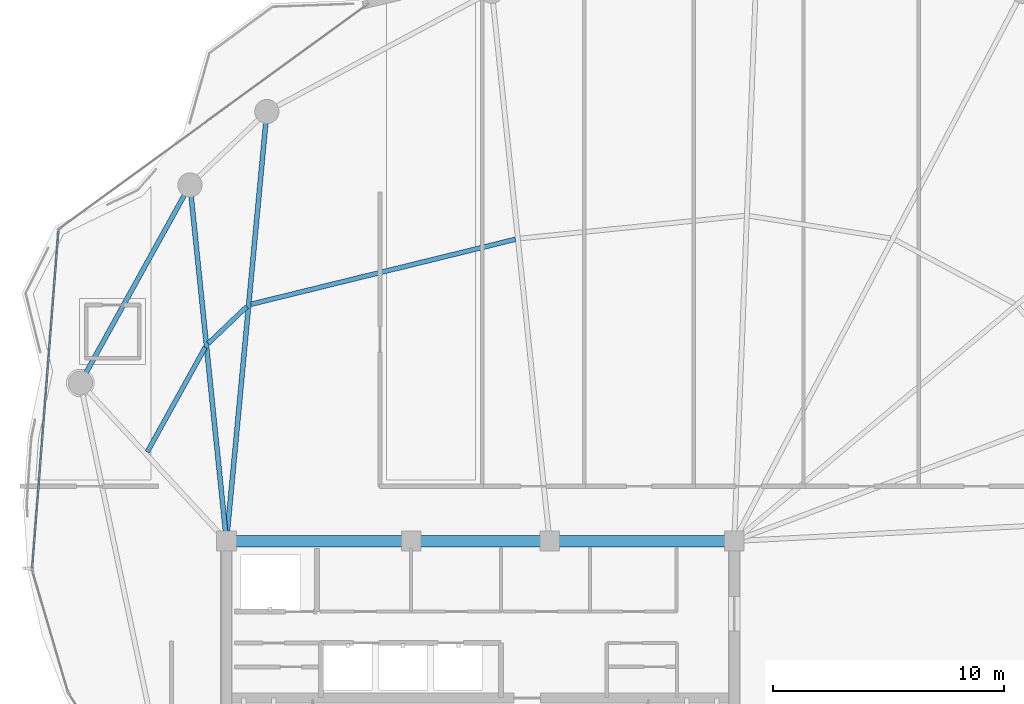
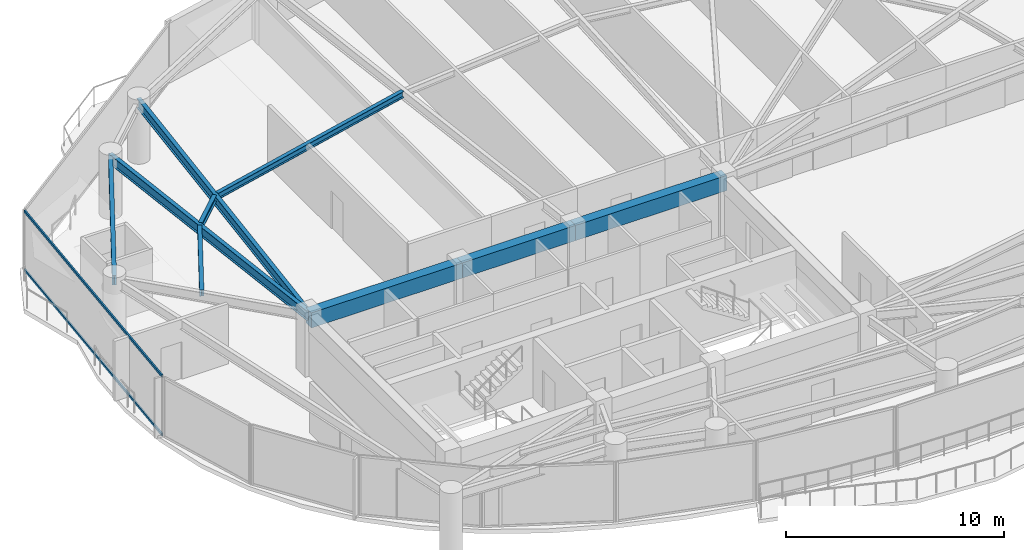
# One storey, part 9 of 30: 9 beams, 2 members, 1 element without a shape of its own.
"""IFC4 building model written with IfcOpenShell, lengths in metres."""

from ifc_helpers import new_model, si_unit, direction, frame, origin, origin_2d, place, context, subcontext, project, spatial, rectangle, hollow_rectangle, i_section, extrude, material, layer, layer_set, material_profile, profile_set, type_object, element, aggregate, save


model = new_model("IFC4")

# Units and contexts
model_context = context("Model", 3, precision=1e-05, world=origin(), true_north=direction((0.0, 1.0)))
body_context = subcontext(model_context, "Body", "Model", "MODEL_VIEW")
ifc_project = project(units=[si_unit("LENGTHUNIT", "METRE"), si_unit("AREAUNIT", "SQUARE_METRE"), si_unit("VOLUMEUNIT", "CUBIC_METRE"), si_unit("PLANEANGLEUNIT", "RADIAN"), si_unit("MASSUNIT", "GRAM", prefix="KILO")], contexts=[model_context])

# Site, building, storey
site_placement = place(None, origin())
site = spatial("IfcSite", under=ifc_project, at=site_placement, CompositionType="ELEMENT")
building_placement = place(site_placement, origin())
building = spatial("IfcBuilding", under=site, at=building_placement, Name="Kazevale Care Tower and Concert Hall", CompositionType="ELEMENT")
storey_placement = place(building_placement, frame((0.0, 0.0, 242.39990234375)))
storey = spatial("IfcBuildingStorey", under=building, at=storey_placement, Name="L64", CompositionType="ELEMENT", Elevation=242.39990234375)

# Curtain wall, members
ifc_material_1 = material(Name="Aluminium 6063-T6 and Low-E Glass", Category="aluminium")
ifc_layer = layer(ifc_material_1, 0.179931640625)
ifc_layer_set = layer_set([ifc_layer], Name="Aluminium 6063-T6 and Low-E Glass")
curtain_wall_type = type_object("IfcCurtainWallType", Name="Waist & Upper Residential Curtain Wall CW-4", PredefinedType="NOTDEFINED", material=ifc_layer_set)
curtain_wall_placement = place(storey_placement, origin())
curtain_wall = element("IfcCurtainWall", 1, at=curtain_wall_placement, inside=storey, type_object=curtain_wall_type, Name="cw:L64:f13", PredefinedType="NOTDEFINED")
ifc_material_2 = material(Name="Aluminium 6063-T6", Category="aluminium")
ifc_material_profile_1 = material_profile(ifc_material_2, hollow_rectangle(XDim=0.080078125, YDim=0.139892578125, WallThickness=0.00390625, at=origin_2d()), Name="ALU80x140x4")
ifc_profile_set_1 = profile_set([ifc_material_profile_1], Name="Aluminium 6063-T6")
member_type = type_object("IfcMemberType", Name="CW-4 Transom ALU80x140x4", PredefinedType="USERDEFINED", material=ifc_profile_set_1)
member_1_placement = place(storey_placement, frame((13.585205078125, 35.23681640625, 0.0400390625), z_axis=(0.077534740898, 0.996989650876, 0.0), x_axis=(-0.996989650876, 0.077534740898, 0.0)))
member_1 = element("IfcMember", 2, at=member_1_placement, type_object=member_type, Name="CW-4 transom 1.1", ObjectType="TRANSOM", PredefinedType="USERDEFINED", context=body_context, shape_type="SweptSolid", body=[
    extrude(hollow_rectangle(XDim=0.080078125, YDim=0.139892578125, WallThickness=0.00390625, at=origin_2d()), origin(), (0.0, 0.0, 1.0), 14.63232421875),
])
member_2_placement = place(storey_placement, frame((13.585205078125, 35.23681640625, 3.320068359375), z_axis=(0.077534740898, 0.996989650876, 0.0), x_axis=(-0.996989650876, 0.077534740898, 0.0)))
member_2 = element("IfcMember", 3, at=member_2_placement, type_object=member_type, Name="CW-4 transom 1.2", ObjectType="TRANSOM", PredefinedType="USERDEFINED", context=body_context, shape_type="SweptSolid", body=[
    extrude(hollow_rectangle(XDim=0.080078125, YDim=0.139892578125, WallThickness=0.00390625, at=origin_2d()), origin(), (0.0, 0.0, 1.0), 14.63232421875),
])
aggregate(curtain_wall, [member_1, member_2])

# Beams
ifc_material_3 = material(Name="Concrete C60", Category="concrete")
ifc_material_profile_2 = material_profile(ifc_material_3, rectangle(XDim=0.5, YDim=0.85009765625, at=origin_2d()), Name="RC-B500x850")
ifc_profile_set_2 = profile_set([ifc_material_profile_2], Name="Concrete C60")
beam_type_1 = type_object("IfcBeamType", Name="Core Coupling Beam RC500x850", PredefinedType="LINTEL", material=ifc_profile_set_2)
beam_1_placement = place(storey_placement, frame((44.0, 36.39990234375, 2.93505859375), z_axis=(-1.0, 0.0, 0.0), x_axis=(0.0, -1.0, 0.0)))
element("IfcBeam", 4, at=beam_1_placement, inside=storey, type_object=beam_type_1, Name="beam:L64:coretie:5", PredefinedType="LINTEL", context=body_context, shape_type="SweptSolid", body=[
    extrude(rectangle(XDim=0.5, YDim=0.85009765625, at=origin_2d()), origin(), (0.0, 0.0, 1.0), 8.0),
])
beam_2_placement = place(storey_placement, frame((36.0, 36.39990234375, 2.93505859375), z_axis=(-1.0, 0.0, 0.0), x_axis=(0.0, -1.0, 0.0)))
element("IfcBeam", 5, at=beam_2_placement, inside=storey, type_object=beam_type_1, Name="beam:L64:coretie:6", PredefinedType="LINTEL", context=body_context, shape_type="SweptSolid", body=[
    extrude(rectangle(XDim=0.5, YDim=0.85009765625, at=origin_2d()), origin(), (0.0, 0.0, 1.0), 6.0),
])
beam_3_placement = place(storey_placement, frame((30.0, 36.39990234375, 2.93505859375), z_axis=(-1.0, 0.0, 0.0), x_axis=(0.0, -1.0, 0.0)))
element("IfcBeam", 6, at=beam_3_placement, inside=storey, type_object=beam_type_1, Name="beam:L64:coretie:7", PredefinedType="LINTEL", context=body_context, shape_type="SweptSolid", body=[
    extrude(rectangle(XDim=0.5, YDim=0.85009765625, at=origin_2d()), origin(), (0.0, 0.0, 1.0), 8.0),
])
ifc_material_4 = material(Name="Steel ASTM A572 Gr 50", Category="steel")
ifc_material_profile_3 = material_profile(ifc_material_4, i_section(OverallWidth=0.2119140625, OverallDepth=0.5439453125, WebThickness=0.01318359375, FlangeThickness=0.021240234375, at=origin_2d()), Name="W530x123")
ifc_profile_set_3 = profile_set([ifc_material_profile_3], Name="Steel ASTM A572 Gr 50")
beam_type_2 = type_object("IfcBeamType", Name="Radial Floor Girder W530x123", PredefinedType="BEAM", material=ifc_profile_set_3)
beam_4_placement = place(storey_placement, frame((22.0, 36.39990234375, 3.088134765625), z_axis=(0.093621904075, 0.995607823933, 0.0), x_axis=(-0.995607823933, 0.093621904075, 0.0)))
element("IfcBeam", 7, at=beam_4_placement, inside=storey, type_object=beam_type_2, Name="beam:L64:rad:07", PredefinedType="BEAM", context=body_context, shape_type="SweptSolid", body=[
    extrude(i_section(OverallWidth=0.2119140625, OverallDepth=0.5439453125, WebThickness=0.01318359375, FlangeThickness=0.021240234375, at=origin_2d()), origin(), (0.0, 0.0, 1.0), 18.692138671875),
])
beam_5_placement = place(storey_placement, frame((22.0, 36.39990234375, 3.088134765625), z_axis=(-0.101869109083, 0.994797810922, 0.0), x_axis=(-0.994797810922, -0.101869109083, 0.0)))
element("IfcBeam", 8, at=beam_5_placement, inside=storey, type_object=beam_type_2, Name="beam:L64:rad:08", PredefinedType="BEAM", context=body_context, shape_type="SweptSolid", body=[
    extrude(i_section(OverallWidth=0.2119140625, OverallDepth=0.5439453125, WebThickness=0.01318359375, FlangeThickness=0.021240234375, at=origin_2d()), origin(), (0.0, 0.0, 1.0), 15.510986328125),
])
ifc_material_profile_4 = material_profile(ifc_material_4, i_section(OverallWidth=0.205078125, OverallDepth=0.35400390625, WebThickness=0.009521484375, FlangeThickness=0.016845703125, at=origin_2d()), Name="W360x79")
ifc_profile_set_4 = profile_set([ifc_material_profile_4], Name="Steel ASTM A572 Gr 50")
beam_type_3 = type_object("IfcBeamType", Name="Secondary Floor Joist W360x79", PredefinedType="JOIST", material=ifc_profile_set_4)
beam_6_placement = place(storey_placement, frame((34.52294921875, 49.47607421875, 3.18310546875), z_axis=(-0.971122715177, -0.238580535809, 0.0), x_axis=(0.238580535809, -0.971122715177, 0.0)))
element("IfcBeam", 9, at=beam_6_placement, inside=storey, type_object=beam_type_3, Name="beam:L64:joist:06", PredefinedType="JOIST", context=body_context, shape_type="SweptSolid", body=[
    extrude(i_section(OverallWidth=0.205078125, OverallDepth=0.35400390625, WebThickness=0.009521484375, FlangeThickness=0.016845703125, at=origin_2d()), origin(), (0.0, 0.0, 1.0), 11.7998046875),
])
beam_7_placement = place(storey_placement, frame((22.886962890625, 46.56298828125, 3.18310546875), z_axis=(-0.723262472539, -0.690573237114, 0.0), x_axis=(0.690573237114, -0.723262472539, 0.0)))
element("IfcBeam", 10, at=beam_7_placement, inside=storey, type_object=beam_type_3, Name="beam:L64:joist:07", PredefinedType="JOIST", context=body_context, shape_type="SweptSolid", body=[
    extrude(i_section(OverallWidth=0.205078125, OverallDepth=0.35400390625, WebThickness=0.009521484375, FlangeThickness=0.016845703125, at=origin_2d()), origin(), (0.0, 0.0, 1.0), 2.32275390625),
])
beam_8_placement = place(storey_placement, frame((21.080078125, 44.794921875, 3.18310546875), z_axis=(-0.484322963201, -0.874889288605, 0.0), x_axis=(0.874889288605, -0.484322963201, 0.0)))
element("IfcBeam", 11, at=beam_8_placement, inside=storey, type_object=beam_type_3, Name="beam:L64:joist:08", PredefinedType="JOIST", context=body_context, shape_type="SweptSolid", body=[
    extrude(i_section(OverallWidth=0.205078125, OverallDepth=0.35400390625, WebThickness=0.009521484375, FlangeThickness=0.016845703125, at=origin_2d()), origin(), (0.0, 0.0, 1.0), 5.1845703125),
])
ifc_material_profile_5 = material_profile(ifc_material_4, i_section(OverallWidth=0.208984375, OverallDepth=0.532958984375, WebThickness=0.01025390625, FlangeThickness=0.015625, at=origin_2d()), Name="W530x92")
ifc_profile_set_5 = profile_set([ifc_material_profile_5], Name="Steel ASTM A572 Gr 50")
beam_type_4 = type_object("IfcBeamType", Name="Upper Ring Beam W530x92", PredefinedType="BEAM", material=ifc_profile_set_5)
beam_9_placement = place(storey_placement, frame((20.419921875, 51.830078125, 3.093505859375), z_axis=(-0.484340382014, -0.874879645637, 0.0), x_axis=(0.874879645637, -0.484340382014, 0.0)))
element("IfcBeam", 12, at=beam_9_placement, inside=storey, type_object=beam_type_4, Name="beam:L64:ring:08", PredefinedType="BEAM", context=body_context, shape_type="SweptSolid", body=[
    extrude(i_section(OverallWidth=0.208984375, OverallDepth=0.532958984375, WebThickness=0.01025390625, FlangeThickness=0.015625, at=origin_2d()), origin(), (0.0, 0.0, 1.0), 9.80712890625),
])

save(model, "model.ifc")
